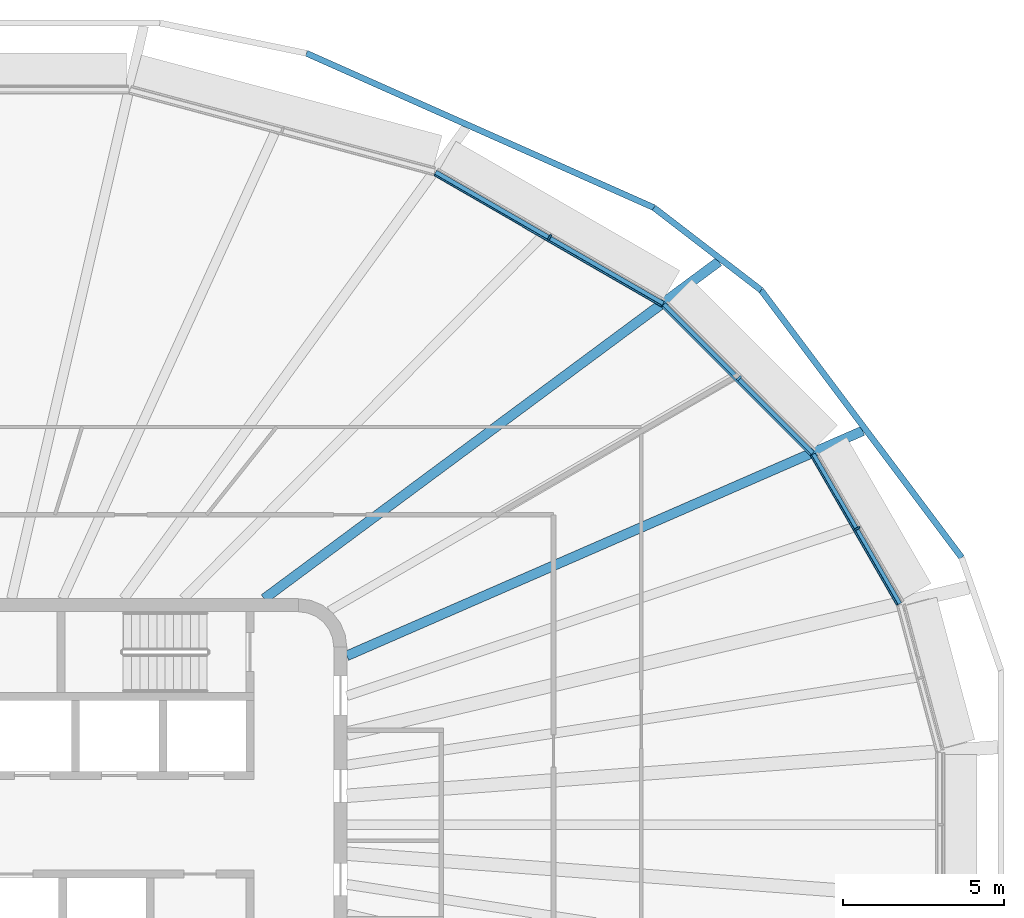
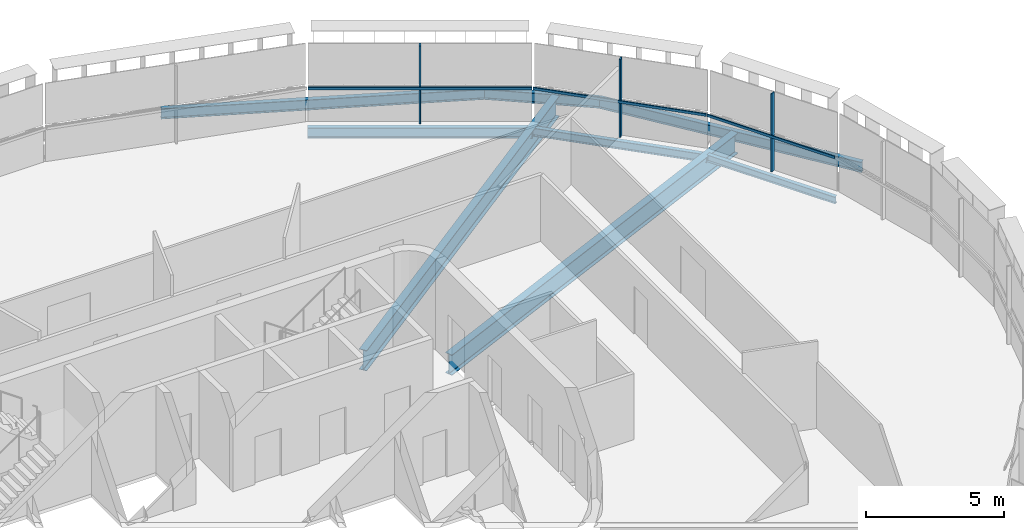
# One storey, part 7 of 19: 8 beams, 6 members, 3 elements without a shape of their own.
"""IFC4 building model written with IfcOpenShell, lengths in metres."""

from ifc_helpers import new_model, si_unit, direction, frame, origin, origin_2d, place, context, subcontext, project, spatial, rectangle, i_section, extrude, material, layer, layer_set, material_profile, profile_set, type_object, element, aggregate, save


model = new_model("IFC4")

# Units and contexts
model_context = context("Model", 3, precision=1e-05, world=origin(), true_north=direction((0.0, 1.0)))
body_context = subcontext(model_context, "Body", "Model", "MODEL_VIEW")
ifc_project = project(units=[si_unit("LENGTHUNIT", "METRE"), si_unit("AREAUNIT", "SQUARE_METRE"), si_unit("VOLUMEUNIT", "CUBIC_METRE"), si_unit("PLANEANGLEUNIT", "RADIAN"), si_unit("MASSUNIT", "GRAM", prefix="KILO")], contexts=[model_context])

# Site, building, storey
site_placement = place(None, origin())
site = spatial("IfcSite", under=ifc_project, at=site_placement, CompositionType="ELEMENT")
building_placement = place(site_placement, origin())
building = spatial("IfcBuilding", under=site, at=building_placement, Name="Sahrelin Media Tower", CompositionType="ELEMENT")
storey_placement = place(building_placement, frame((0.0, 0.0, 229.60009765625)))
storey = spatial("IfcBuildingStorey", under=building, at=storey_placement, Name="L49", CompositionType="ELEMENT", Elevation=229.60009765625)

# Beams
ifc_material_1 = material(Name="Steel S355", Category="steel")
ifc_material_profile_1 = material_profile(ifc_material_1, i_section(OverallWidth=0.1650390625, OverallDepth=0.303466796875, WebThickness=0.006103515625, FlangeThickness=0.01025390625, FilletRadius=0.0087890625, at=origin_2d()), Name="UB 305x165x40")
ifc_profile_set_1 = profile_set([ifc_material_profile_1], Name="Steel S355")
beam_type_1 = type_object("IfcBeamType", Name="Edge beam EB2", PredefinedType="BEAM", material=ifc_profile_set_1)
beam_1_placement = place(storey_placement, frame((26.437255859375, 11.470947265625, -0.3017578125), z_axis=(0.500023797175, -0.866011664043, 0.0), x_axis=(0.866011664043, 0.500023797175, 0.0)))
element("IfcBeam", 1, at=beam_1_placement, inside=storey, type_object=beam_type_1, Name="Edge beam L49-19", PredefinedType="BEAM", context=body_context, shape_type="SweptSolid", body=[
    extrude(i_section(OverallWidth=0.1650390625, OverallDepth=0.303466796875, WebThickness=0.006103515625, FlangeThickness=0.01025390625, FilletRadius=0.0087890625, at=origin_2d()), origin(), (0.0, 0.0, 1.0), 5.353271484375),
])
ifc_material_profile_2 = material_profile(ifc_material_1, i_section(OverallWidth=0.17138671875, OverallDepth=0.35498046875, WebThickness=0.00732421875, FlangeThickness=0.011474609375, FilletRadius=0.01025390625, at=origin_2d()), Name="UB 356x171x51")
ifc_profile_set_2 = profile_set([ifc_material_profile_2], Name="Steel S355")
beam_type_2 = type_object("IfcBeamType", Name="Edge beam EB3", PredefinedType="BEAM", material=ifc_profile_set_2)
beam_2_placement = place(storey_placement, frame((21.810791015625, 16.102783203125, -0.32763671875), z_axis=(0.707125508771, -0.707088053106, 0.0), x_axis=(0.707088053106, 0.707125508771, 0.0)))
element("IfcBeam", 2, at=beam_2_placement, inside=storey, type_object=beam_type_2, Name="Edge beam L49-18", PredefinedType="BEAM", context=body_context, shape_type="SweptSolid", body=[
    extrude(i_section(OverallWidth=0.17138671875, OverallDepth=0.35498046875, WebThickness=0.00732421875, FlangeThickness=0.011474609375, FilletRadius=0.01025390625, at=origin_2d()), origin(), (0.0, 0.0, 1.0), 6.51806640625),
])
ifc_material_profile_3 = material_profile(ifc_material_1, i_section(OverallWidth=0.1904296875, OverallDepth=0.45703125, WebThickness=0.009033203125, FlangeThickness=0.014404296875, FilletRadius=0.01025390625, at=origin_2d()), Name="UB 457x191x74")
ifc_profile_set_3 = profile_set([ifc_material_profile_3], Name="Steel S355")
beam_type_3 = type_object("IfcBeamType", Name="Edge beam EB5", PredefinedType="BEAM", material=ifc_profile_set_3)
beam_3_placement = place(storey_placement, frame((14.73779296875, 20.19091796875, -0.378662109375), z_axis=(0.866014284008, -0.500019259524, 0.0), x_axis=(0.500019259524, 0.866014284008, 0.0)))
element("IfcBeam", 3, at=beam_3_placement, inside=storey, type_object=beam_type_3, Name="Edge beam L49-17", PredefinedType="BEAM", context=body_context, shape_type="SweptSolid", body=[
    extrude(i_section(OverallWidth=0.1904296875, OverallDepth=0.45703125, WebThickness=0.009033203125, FlangeThickness=0.014404296875, FilletRadius=0.01025390625, at=origin_2d()), origin(), (0.0, 0.0, 1.0), 8.140869140625),
])

# Curtain wall, member
ifc_material_2 = material(Name="Champagne anodised aluminium 6063-T6", Category="aluminium")
ifc_layer = layer(ifc_material_2, 0.14990234375)
ifc_layer_set = layer_set([ifc_layer], Name="Tower ribbon curtain wall")
curtain_wall_type = type_object("IfcCurtainWallType", Name="Tower ribbon curtain wall", PredefinedType="NOTDEFINED", material=ifc_layer_set)
curtain_wall_1_placement = place(storey_placement, frame((27.905517578125, 9.22802734375, 0.0), z_axis=(0.0, 0.0, 1.0), x_axis=(1.0, 0.0, 0.0)))
curtain_wall_1 = element("IfcCurtainWall", 4, at=curtain_wall_1_placement, inside=storey, type_object=curtain_wall_type, Name="L49:CW:L49-02", PredefinedType="NOTDEFINED")
ifc_material_profile_4 = material_profile(ifc_material_2, rectangle(XDim=0.06005859375, YDim=0.175048828125, at=origin_2d()), Name="Mullion 60x175")
ifc_profile_set_4 = profile_set([ifc_material_profile_4], Name="Champagne anodised aluminium 6063-T6")
member_type_1 = type_object("IfcMemberType", Name="Mullion 60x175 CW1B", PredefinedType="MULLION", material=ifc_profile_set_4)
member_1_placement = place(storey_placement, frame((27.8125, 9.17431640625, 0.0), z_axis=(0.0, 0.0, 1.0), x_axis=(-0.499995465495, 0.866028021766, 0.0)))
member_1 = element("IfcMember", 5, at=member_1_placement, type_object=member_type_1, Name="L49:CWM:L49-02", PredefinedType="MULLION", context=body_context, shape_type="SweptSolid", body=[
    extrude(rectangle(XDim=0.06005859375, YDim=0.175048828125, at=origin_2d()), origin(), (0.0, 0.0, 1.0), 3.448486328125),
])

curtain_wall_2_placement = place(storey_placement, frame((24.22119140625, 13.904296875, 0.0), z_axis=(0.0, 0.0, 1.0), x_axis=(1.0, 0.0, 0.0)))
curtain_wall_2 = element("IfcCurtainWall", 6, at=curtain_wall_2_placement, inside=storey, type_object=curtain_wall_type, Name="L49:CW:L49-03", PredefinedType="NOTDEFINED")
member_2_placement = place(storey_placement, frame((24.145263671875, 13.828369140625, 0.0), z_axis=(0.0, 0.0, 1.0), x_axis=(-0.707106781187, 0.707106781187, 0.0)))
member_2 = element("IfcMember", 7, at=member_2_placement, type_object=member_type_1, Name="L49:CWM:L49-03", PredefinedType="MULLION", context=body_context, shape_type="SweptSolid", body=[
    extrude(rectangle(XDim=0.06005859375, YDim=0.175048828125, at=origin_2d()), origin(), (0.0, 0.0, 1.0), 3.448486328125),
])

curtain_wall_3_placement = place(storey_placement, frame((18.337646484375, 18.28564453125, 0.0), z_axis=(0.0, 0.0, 1.0), x_axis=(1.0, 0.0, 0.0)))
curtain_wall_3 = element("IfcCurtainWall", 8, at=curtain_wall_3_placement, inside=storey, type_object=curtain_wall_type, Name="L49:CW:L49-04", PredefinedType="NOTDEFINED")
member_3_placement = place(storey_placement, frame((18.283935546875, 18.1923828125, 0.0), z_axis=(0.0, 0.0, 1.0), x_axis=(-0.86602365845, 0.500003022996, 0.0)))
member_3 = element("IfcMember", 9, at=member_3_placement, type_object=member_type_1, Name="L49:CWM:L49-04", PredefinedType="MULLION", context=body_context, shape_type="SweptSolid", body=[
    extrude(rectangle(XDim=0.06005859375, YDim=0.175048828125, at=origin_2d()), origin(), (0.0, 0.0, 1.0), 3.448486328125),
])

# Beams
ifc_material_profile_5 = material_profile(ifc_material_1, i_section(OverallWidth=0.30322265625, OverallDepth=0.903076171875, WebThickness=0.01513671875, FlangeThickness=0.020263671875, FilletRadius=0.01904296875, at=origin_2d()), Name="UB 914x305x201")
ifc_profile_set_5 = profile_set([ifc_material_profile_5], Name="Steel S355")
beam_type_4 = type_object("IfcBeamType", Name="Radial primary beam PB11", PredefinedType="BEAM", material=ifc_profile_set_5)
beam_4_placement = place(storey_placement, frame((12.0, 5.23193359375, -0.6015625), z_axis=(0.916663739378, 0.399659341077, 0.0), x_axis=(-0.399659341077, 0.916663739378, 0.0)))
element("IfcBeam", 10, at=beam_4_placement, inside=storey, type_object=beam_type_4, Name="Radial beam L49-03", PredefinedType="BEAM", context=body_context, shape_type="SweptSolid", body=[
    extrude(i_section(OverallWidth=0.30322265625, OverallDepth=0.903076171875, WebThickness=0.01513671875, FlangeThickness=0.020263671875, FilletRadius=0.01904296875, at=origin_2d()), origin(), (0.0, 0.0, 1.0), 17.434814453125),
])
beam_5_placement = place(storey_placement, frame((9.4404296875, 7.0, -0.6015625), z_axis=(0.803268009865, 0.595617750178, 0.0), x_axis=(-0.595617750178, 0.803268009865, 0.0)))
element("IfcBeam", 11, at=beam_5_placement, inside=storey, type_object=beam_type_4, Name="Radial beam L49-04", PredefinedType="BEAM", context=body_context, shape_type="SweptSolid", body=[
    extrude(i_section(OverallWidth=0.30322265625, OverallDepth=0.903076171875, WebThickness=0.01513671875, FlangeThickness=0.020263671875, FilletRadius=0.01904296875, at=origin_2d()), origin(), (0.0, 0.0, 1.0), 17.53369140625),
])
ifc_material_profile_6 = material_profile(ifc_material_1, i_section(OverallWidth=0.1904296875, OverallDepth=0.45703125, WebThickness=0.009033203125, FlangeThickness=0.014404296875, FilletRadius=0.01025390625, at=origin_2d()), Name="UB 457x191x74")
ifc_profile_set_6 = profile_set([ifc_material_profile_6], Name="Steel S355")
beam_type_5 = type_object("IfcBeamType", Name="Tie chord TC5", PredefinedType="BEAM", material=ifc_profile_set_6)
beam_6_placement = place(storey_placement, frame((31.045166015625, 8.27490234375, -0.378662109375), z_axis=(-0.600064143266, 0.799951888533, 0.0), x_axis=(-0.799951888533, -0.600064143266, 0.0)))
element("IfcBeam", 12, at=beam_6_placement, inside=storey, type_object=beam_type_5, Name="Tie chord L49-02", PredefinedType="BEAM", context=body_context, shape_type="SweptSolid", body=[
    extrude(i_section(OverallWidth=0.1904296875, OverallDepth=0.45703125, WebThickness=0.009033203125, FlangeThickness=0.014404296875, FilletRadius=0.01025390625, at=origin_2d()), origin(), (0.0, 0.0, 1.0), 10.3525390625),
])
beam_7_placement = place(storey_placement, frame((24.8330078125, 16.556396484375, -0.378662109375), z_axis=(-0.792411812876, 0.609986490682, 0.0), x_axis=(-0.609986490682, -0.792411812876, 0.0)))
element("IfcBeam", 13, at=beam_7_placement, inside=storey, type_object=beam_type_5, Name="Tie chord L49-03", PredefinedType="BEAM", context=body_context, shape_type="SweptSolid", body=[
    extrude(i_section(OverallWidth=0.1904296875, OverallDepth=0.45703125, WebThickness=0.009033203125, FlangeThickness=0.014404296875, FilletRadius=0.01025390625, at=origin_2d()), origin(), (0.0, 0.0, 1.0), 4.19287109375),
])
beam_8_placement = place(storey_placement, frame((21.510498046875, 19.114013671875, -0.378662109375), z_axis=(-0.913838908375, 0.406076901017, 0.0), x_axis=(-0.406076901017, -0.913838908375, 0.0)))
element("IfcBeam", 14, at=beam_8_placement, inside=storey, type_object=beam_type_5, Name="Tie chord L49-04", PredefinedType="BEAM", context=body_context, shape_type="SweptSolid", body=[
    extrude(i_section(OverallWidth=0.1904296875, OverallDepth=0.45703125, WebThickness=0.009033203125, FlangeThickness=0.014404296875, FilletRadius=0.01025390625, at=origin_2d()), origin(), (0.0, 0.0, 1.0), 11.774169921875),
])

# Member
ifc_material_profile_7 = material_profile(ifc_material_2, rectangle(XDim=0.050048828125, YDim=0.110107421875, at=origin_2d()), Name="Transom 50x110")
ifc_profile_set_7 = profile_set([ifc_material_profile_7], Name="Champagne anodised aluminium 6063-T6")
member_type_2 = type_object("IfcMemberType", Name="Transom 50x110 CW1B", PredefinedType="USERDEFINED", material=ifc_profile_set_7)
member_4_placement = place(storey_placement, frame((29.04541015625, 6.813720703125, 1.599853515625), z_axis=(-0.500012351221, 0.866018272686, 0.0), x_axis=(-0.866018272686, -0.500012351221, 0.0)))
member_4 = element("IfcMember", 15, at=member_4_placement, type_object=member_type_2, Name="L49:CWT:L49-02", ObjectType="TRANSOM", PredefinedType="USERDEFINED", context=body_context, shape_type="SweptSolid", body=[
    extrude(rectangle(XDim=0.050048828125, YDim=0.110107421875, at=origin_2d()), origin(), (0.0, 0.0, 1.0), 5.321533203125),
])

aggregate(curtain_wall_1, [member_1, member_4])

member_5_placement = place(storey_placement, frame((26.359130859375, 11.455322265625, 1.599853515625), z_axis=(-0.707106781187, 0.707106781187, 0.0), x_axis=(-0.707106781187, -0.707106781187, 0.0)))
member_5 = element("IfcMember", 16, at=member_5_placement, type_object=member_type_2, Name="L49:CWT:L49-03", ObjectType="TRANSOM", PredefinedType="USERDEFINED", context=body_context, shape_type="SweptSolid", body=[
    extrude(rectangle(XDim=0.050048828125, YDim=0.110107421875, at=origin_2d()), origin(), (0.0, 0.0, 1.0), 6.48681640625),
])

aggregate(curtain_wall_2, [member_2, member_5])

member_6_placement = place(storey_placement, frame((21.7392578125, 16.067626953125, 1.599853515625), z_axis=(-0.866026157845, 0.499998693927, 0.0), x_axis=(-0.499998693927, -0.866026157845, 0.0)))
member_6 = element("IfcMember", 17, at=member_6_placement, type_object=member_type_2, Name="L49:CWT:L49-04", ObjectType="TRANSOM", PredefinedType="USERDEFINED", context=body_context, shape_type="SweptSolid", body=[
    extrude(rectangle(XDim=0.050048828125, YDim=0.110107421875, at=origin_2d()), origin(), (0.0, 0.0, 1.0), 8.109375),
])

aggregate(curtain_wall_3, [member_3, member_6])

save(model, "model.ifc")
